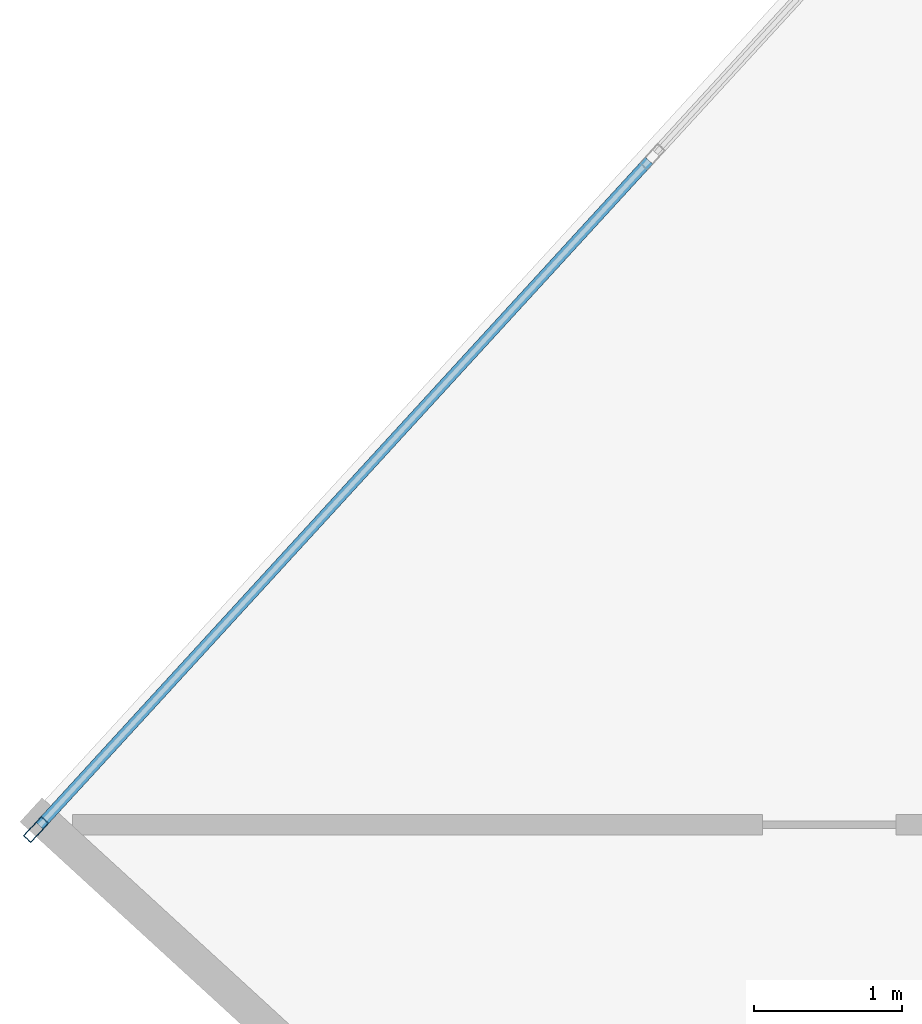
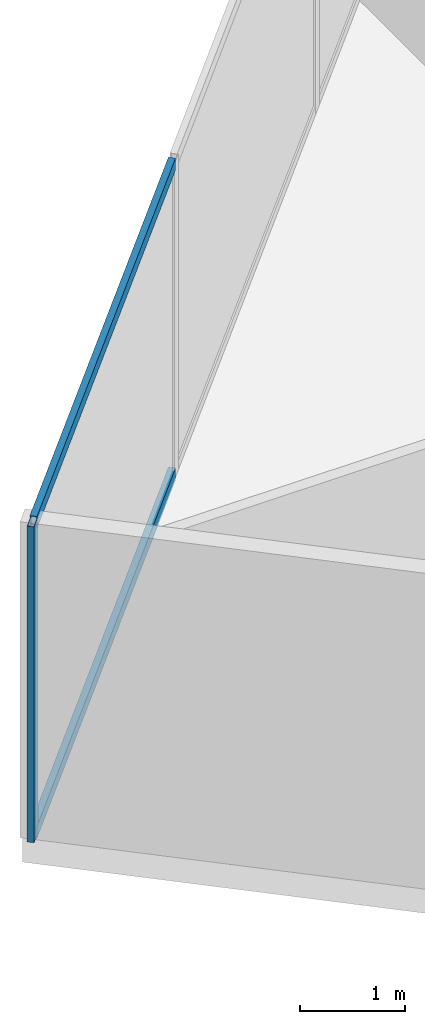
# One storey, part 8 of 26: 3 members, 1 element without a shape of its own.
"""IFC4 building model written with IfcOpenShell, lengths in metres."""

import ifcopenshell
import ifcopenshell.guid

model = None  # the IFC model being written
_history = None  # IfcOwnerHistory: only IFC2X3 demands one
_inside = {}  # id of a spatial element -> (the spatial element, [elements in it])
_under = {}  # id of a project, library or spatial element -> (it, [spatial elements below it])
_declared = {}  # id of a project -> (the project, [libraries it declares])
_typed = {}  # id of a type object -> (the type object, [elements of that type])
_made_of = {}  # id of a material, layer set ... -> (it, [elements and type objects made of it])


def new_model(schema):
    """Start an empty IFC model of exactly this schema.

    Asked for "IFC4X3", IfcOpenShell would pick the latest addendum, in which some entities
    have other attributes; the version numbers below select the first issue.
    IFC2X3 requires an IfcOwnerHistory on every rooted entity: one is made here for all.
    """
    global model, _history
    if schema == "IFC4X3":
        model = ifcopenshell.file(schema_version=(4, 3, 0, 0))
    else:
        model = ifcopenshell.file(schema=schema)
    _inside.clear()
    _under.clear()
    _declared.clear()
    _typed.clear()
    _made_of.clear()
    _history = None
    if model.schema == "IFC2X3":
        org = make("IfcOrganization", Name="unknown")
        user = make(
            "IfcPersonAndOrganization",
            ThePerson=make("IfcPerson", FamilyName="unknown"),
            TheOrganization=org,
        )
        app = make(
            "IfcApplication",
            ApplicationDeveloper=org,
            Version="unknown",
            ApplicationFullName="unknown",
            ApplicationIdentifier="unknown",
        )
        _history = make(
            "IfcOwnerHistory",
            OwningUser=user,
            OwningApplication=app,
            ChangeAction="ADDED",
            CreationDate=0,
        )
    return model


def make(cls, **values):
    """One entity of the class cls with the attributes given. An attribute that is None is left unset."""
    return model.create_entity(
        cls, **{name: value for name, value in values.items() if value is not None}
    )


def rooted(cls, **values):
    """An entity with a GlobalId (a new one), such as an element, a storey or a relation."""
    return make(cls, GlobalId=ifcopenshell.guid.new(), OwnerHistory=_history, **values)


def si_unit(unit_type, name, prefix=None):
    """IfcSIUnit, for example si_unit("LENGTHUNIT", "METRE", prefix="MILLI")."""
    return make("IfcSIUnit", UnitType=unit_type, Prefix=prefix, Name=name)


def assignment(units):
    """IfcUnitAssignment: the units of a project."""
    return None if units is None else make("IfcUnitAssignment", Units=units)


def point(xyz):
    """IfcCartesianPoint."""
    return None if xyz is None else make("IfcCartesianPoint", Coordinates=xyz)


def direction(xyz):
    """IfcDirection."""
    return None if xyz is None else make("IfcDirection", DirectionRatios=xyz)


def frame(location, z_axis=None, x_axis=None):
    """IfcAxis2Placement3D, a coordinate frame: its origin and axes. An axis left out is left unset."""
    return make(
        "IfcAxis2Placement3D",
        Location=point(location),
        Axis=direction(z_axis),
        RefDirection=direction(x_axis),
    )


def frame_2d(location, x_axis=None):
    """IfcAxis2Placement2D, a coordinate frame in the plane: its origin and x axis."""
    return make(
        "IfcAxis2Placement2D", Location=point(location), RefDirection=direction(x_axis)
    )


def origin():
    """The frame at (0, 0, 0) with its axes left unset."""
    return frame((0.0, 0.0, 0.0))


def origin_2d():
    """The frame at (0, 0) in the plane with its x axis left unset."""
    return frame_2d((0.0, 0.0))


def place(relative_to, where):
    """IfcLocalPlacement: puts the frame where relative to a parent placement (None: the world)."""
    return make(
        "IfcLocalPlacement", PlacementRelTo=relative_to, RelativePlacement=where
    )


def context(
    kind, dimensions, precision=None, world=None, true_north=None, identifier=None
):
    """IfcGeometricRepresentationContext, for example the 3D "Model" context."""
    return make(
        "IfcGeometricRepresentationContext",
        ContextIdentifier=identifier,
        ContextType=kind,
        CoordinateSpaceDimension=dimensions,
        Precision=precision,
        WorldCoordinateSystem=world,
        TrueNorth=true_north,
    )


def subcontext(parent, identifier, kind, view, scale=None):
    """IfcGeometricRepresentationSubContext, for example "Body" below "Model"."""
    return make(
        "IfcGeometricRepresentationSubContext",
        ContextIdentifier=identifier,
        ContextType=kind,
        ParentContext=parent,
        TargetScale=scale,
        TargetView=view,
    )


def project(units=None, contexts=None):
    """IfcProject with its units and contexts."""
    return rooted(
        "IfcProject",
        Name="project",
        RepresentationContexts=contexts,
        UnitsInContext=assignment(units),
    )


def spatial(cls, under=None, at=None, **own):
    """A site, building, storey or space (cls), placed at a placement, below another one or the project."""
    s = rooted(cls, ObjectPlacement=at, **own)
    if under is not None:
        _under.setdefault(under.id(), (under, []))[1].append(s)
    return s


def profile(cls, at=None, kind="AREA", **sizes):
    """A parametric profile (cls). Its sizes go by their IFC names, for example OverallWidth=200.0."""
    return make(cls, ProfileType=kind, Position=at, **sizes)


def hollow_rectangle(**sizes):
    """IfcRectangleHollowProfileDef."""
    return profile("IfcRectangleHollowProfileDef", **sizes)


def extrude(swept, where, along, depth):
    """IfcExtrudedAreaSolid: the profile swept, set in the frame where, extruded along a direction by depth."""
    return make(
        "IfcExtrudedAreaSolid",
        SweptArea=swept,
        Position=where,
        ExtrudedDirection=direction(along),
        Depth=depth,
    )


def shape(context_of_items, identifier, shape_type, items):
    """IfcShapeRepresentation: the items that make up one representation, for example the "Body"."""
    return make(
        "IfcShapeRepresentation",
        ContextOfItems=context_of_items,
        RepresentationIdentifier=identifier,
        RepresentationType=shape_type,
        Items=items,
    )


def source(mapping_origin, context_of_items, identifier, shape_type, items):
    """IfcRepresentationMap: a shape defined once, which mapped items show again and again."""
    return make(
        "IfcRepresentationMap",
        MappingOrigin=mapping_origin,
        MappedRepresentation=shape(context_of_items, identifier, shape_type, items),
    )


def transform(
    local_origin,
    x_axis=None,
    y_axis=None,
    z_axis=None,
    scale=None,
    scale2=None,
    scale3=None,
    uniform=True,
):
    """IfcCartesianTransformationOperator3D, or its non-uniform kind. x_axis, y_axis, z_axis: its Axis1, 2, 3."""
    if uniform:
        return make(
            "IfcCartesianTransformationOperator3D",
            Axis1=direction(x_axis),
            Axis2=direction(y_axis),
            LocalOrigin=point(local_origin),
            Scale=scale,
            Axis3=direction(z_axis),
        )
    return make(
        "IfcCartesianTransformationOperator3DnonUniform",
        Axis1=direction(x_axis),
        Axis2=direction(y_axis),
        LocalOrigin=point(local_origin),
        Scale=scale,
        Axis3=direction(z_axis),
        Scale2=scale2,
        Scale3=scale3,
    )


def mapped(mapping_source, mapping_target):
    """IfcMappedItem: shows the shape of a source again, moved by a transform."""
    return make(
        "IfcMappedItem", MappingSource=mapping_source, MappingTarget=mapping_target
    )


def material(Name=None, Category=None):
    """IfcMaterial."""
    return make("IfcMaterial", Name=Name, Category=Category)


def material_profile(
    of_material, cross_section, Name=None, Category=None, Priority=None
):
    """IfcMaterialProfile: a cross section and its material."""
    return make(
        "IfcMaterialProfile",
        Name=Name,
        Material=of_material,
        Profile=cross_section,
        Priority=Priority,
        Category=Category,
    )


def profile_set(profiles, Name=None, composite=None):
    """IfcMaterialProfileSet."""
    return make(
        "IfcMaterialProfileSet",
        Name=Name,
        MaterialProfiles=profiles,
        CompositeProfile=composite,
    )


def made_of(thing, what):
    """Note that an element or type object is made of a material, layer set ...; save() writes the relation."""
    if what is not None:
        _made_of.setdefault(what.id(), (what, []))[1].append(thing)
    return thing


def type_object(cls, material=None, **own):
    """A type object (cls), such as IfcWallType, which elements share."""
    return made_of(rooted(cls, **own), material)


def type_shapes(of_type, sources):
    """Give a type object the sources (RepresentationMaps) that its elements show as mapped items."""
    of_type.RepresentationMaps = sources


def element(
    cls,
    number,
    at=None,
    inside=None,
    cuts=None,
    type_object=None,
    material=None,
    context=None,
    identifier="Body",
    shape_type=None,
    held_by="IfcProductDefinitionShape",
    body=None,
    shapes=None,
    **own,
):
    """One element of the class cls, such as IfcWall. Its Tag is "e" and its number.

    at: its placement. inside: the storey or other place that contains it. cuts: it is an
    opening in that element (IfcRelVoidsElement). A single representation is given by context,
    identifier, shape_type and body (its items); several are given by shapes. held_by: the class
    of the entity that holds the representations. save() writes the other relations.
    """
    e = rooted(cls, Tag="e%d" % number, ObjectPlacement=at, **own)
    if body is not None:
        shapes = [shape(context, identifier, shape_type, body)]
    if shapes is not None:
        e.Representation = make(held_by, Representations=shapes)
    if inside is not None:
        _inside.setdefault(inside.id(), (inside, []))[1].append(e)
    if cuts is not None:
        rooted(
            "IfcRelVoidsElement", RelatingBuildingElement=cuts, RelatedOpeningElement=e
        )
    if type_object is not None:
        _typed.setdefault(type_object.id(), (type_object, []))[1].append(e)
    return made_of(e, material)


def aggregate(whole, parts):
    """IfcRelAggregates: a whole, such as a stair, and the parts it consists of."""
    return rooted("IfcRelAggregates", RelatingObject=whole, RelatedObjects=parts)


def save(model, path):
    """Write the relations noted so far, then the file.

    IfcRelAggregates (storeys below a building ...), IfcRelContainedInSpatialStructure (elements
    in a storey), IfcRelDefinesByType, IfcRelAssociatesMaterial and IfcRelDeclares: one each for
    every whole, place, type object, material and project.
    """
    for whole, parts in _under.values():
        aggregate(whole, parts)
    for where, things in _inside.values():
        rooted(
            "IfcRelContainedInSpatialStructure",
            RelatedElements=things,
            RelatingStructure=where,
        )
    for kind, things in _typed.values():
        rooted("IfcRelDefinesByType", RelatedObjects=things, RelatingType=kind)
    for what, things in _made_of.values():
        rooted("IfcRelAssociatesMaterial", RelatedObjects=things, RelatingMaterial=what)
    for by, libraries in _declared.values():
        rooted("IfcRelDeclares", RelatingContext=by, RelatedDefinitions=libraries)
    model.write(path)


model = new_model("IFC4")

# Units and contexts
model_context = context("Model", 3, precision=1e-05, world=origin(), true_north=direction((0.0, 1.0)))
body_context = subcontext(model_context, "Body", "Model", "MODEL_VIEW")
ifc_project = project(units=[si_unit("LENGTHUNIT", "METRE"), si_unit("AREAUNIT", "SQUARE_METRE"), si_unit("VOLUMEUNIT", "CUBIC_METRE"), si_unit("PLANEANGLEUNIT", "RADIAN"), si_unit("MASSUNIT", "GRAM", prefix="KILO")], contexts=[model_context])

# Site, building, storey
site_placement = place(None, origin())
site = spatial("IfcSite", under=ifc_project, at=site_placement, CompositionType="ELEMENT")
building_placement = place(site_placement, origin())
building = spatial("IfcBuilding", under=site, at=building_placement, Name="Krantzveldt Concourse Tower", CompositionType="ELEMENT")
storey_placement = place(building_placement, frame((0.0, 0.0, 219.14990234375)))
storey = spatial("IfcBuildingStorey", under=building, at=storey_placement, Name="L53", CompositionType="ELEMENT", Elevation=219.14990234375)

# Curtain wall, members
ifc_material = material(Name="Anodised aluminium 6063-T6", Category="aluminium")
curtain_wall_type = type_object("IfcCurtainWallType", Name="CW3", PredefinedType="USERDEFINED", material=ifc_material)
curtain_wall_placement = place(storey_placement, origin())
curtain_wall = element("IfcCurtainWall", 1, at=curtain_wall_placement, inside=storey, type_object=curtain_wall_type, Name="CW-L53-F01", ObjectType="UNITISED CURTAIN WALL", PredefinedType="USERDEFINED")
ifc_material_profile_1 = material_profile(ifc_material, hollow_rectangle(XDim=0.070068359375, YDim=0.179931640625, WallThickness=0.0048828125, at=origin_2d()), Name="Anodised aluminium 6063-T6", Category="aluminium")
ifc_profile_set_1 = profile_set([ifc_material_profile_1], Name="Anodised aluminium 6063-T6 - ALU-MULL 180x70x5")
member_type_1 = type_object("IfcMemberType", Name="CW-MUL-180", PredefinedType="MULLION", material=ifc_profile_set_1)
shared_shape_1 = source(origin(), body_context, "Body", "SweptSolid", [
    extrude(hollow_rectangle(XDim=0.070068359375, YDim=0.179931640625, WallThickness=0.0048828125, at=origin_2d()), origin(), (0.0, 0.0, 1.0), 3.670166015625),
])
type_shapes(member_type_1, [shared_shape_1])
member_1_placement = place(storey_placement, frame((10.504150390625, 29.0869140625, 0.0), z_axis=(0.0, 0.0, 1.0), x_axis=(0.737277477893, -0.675590053651, 0.0)))
member_1 = element("IfcMember", 2, at=member_1_placement, type_object=member_type_1, Name="CW-Z34 mullion 6", PredefinedType="MULLION", context=body_context, shape_type="MappedRepresentation", body=[
    mapped(shared_shape_1, transform((0.0, 0.0, 0.0), x_axis=(1.0, 0.0, 0.0), y_axis=(0.0, 1.0, 0.0), z_axis=(0.0, 0.0, 1.0), scale=1.0)),
])
ifc_material_profile_2 = material_profile(ifc_material, hollow_rectangle(XDim=0.070068359375, YDim=0.139892578125, WallThickness=0.0048828125, at=origin_2d()), Name="Anodised aluminium 6063-T6", Category="aluminium")
ifc_profile_set_2 = profile_set([ifc_material_profile_2], Name="Anodised aluminium 6063-T6 - ALU-TRAN 140x70x5")
member_type_2 = type_object("IfcMemberType", Name="CW-TRN-150", PredefinedType="USERDEFINED", material=ifc_profile_set_2)
shared_shape_2 = source(origin(), body_context, "Body", "SweptSolid", [
    extrude(hollow_rectangle(XDim=0.070068359375, YDim=0.139892578125, WallThickness=0.0048828125, at=origin_2d()), origin(), (0.0, 0.0, 1.0), 6.094970703125),
])
type_shapes(member_type_2, [shared_shape_2])
member_2_placement = place(storey_placement, frame((14.6455078125, 33.606201171875, 0.03515625), z_axis=(-0.675590390755, -0.737277168993, 0.0), x_axis=(0.737277168993, -0.675590390755, 0.0)))
member_2 = element("IfcMember", 3, at=member_2_placement, type_object=member_type_2, Name="CW-Z34 transom 5.1", ObjectType="TRANSOM", PredefinedType="USERDEFINED", context=body_context, shape_type="MappedRepresentation", body=[
    mapped(shared_shape_2, transform((0.0, 0.0, 0.0), x_axis=(1.0, 0.0, 0.0), y_axis=(0.0, 1.0, 0.0), z_axis=(0.0, 0.0, 1.0), scale=1.0)),
])
member_3_placement = place(storey_placement, frame((14.6455078125, 33.606201171875, 3.635009765625), z_axis=(-0.675590390755, -0.737277168993, 0.0), x_axis=(0.737277168993, -0.675590390755, 0.0)))
member_3 = element("IfcMember", 4, at=member_3_placement, type_object=member_type_2, Name="CW-Z34 transom 5.2", ObjectType="TRANSOM", PredefinedType="USERDEFINED", context=body_context, shape_type="MappedRepresentation", body=[
    mapped(shared_shape_2, transform((0.0, 0.0, 0.0), x_axis=(1.0, 0.0, 0.0), y_axis=(0.0, 1.0, 0.0), z_axis=(0.0, 0.0, 1.0), scale=1.0)),
])
aggregate(curtain_wall, [member_1, member_2, member_3])

save(model, "model.ifc")
